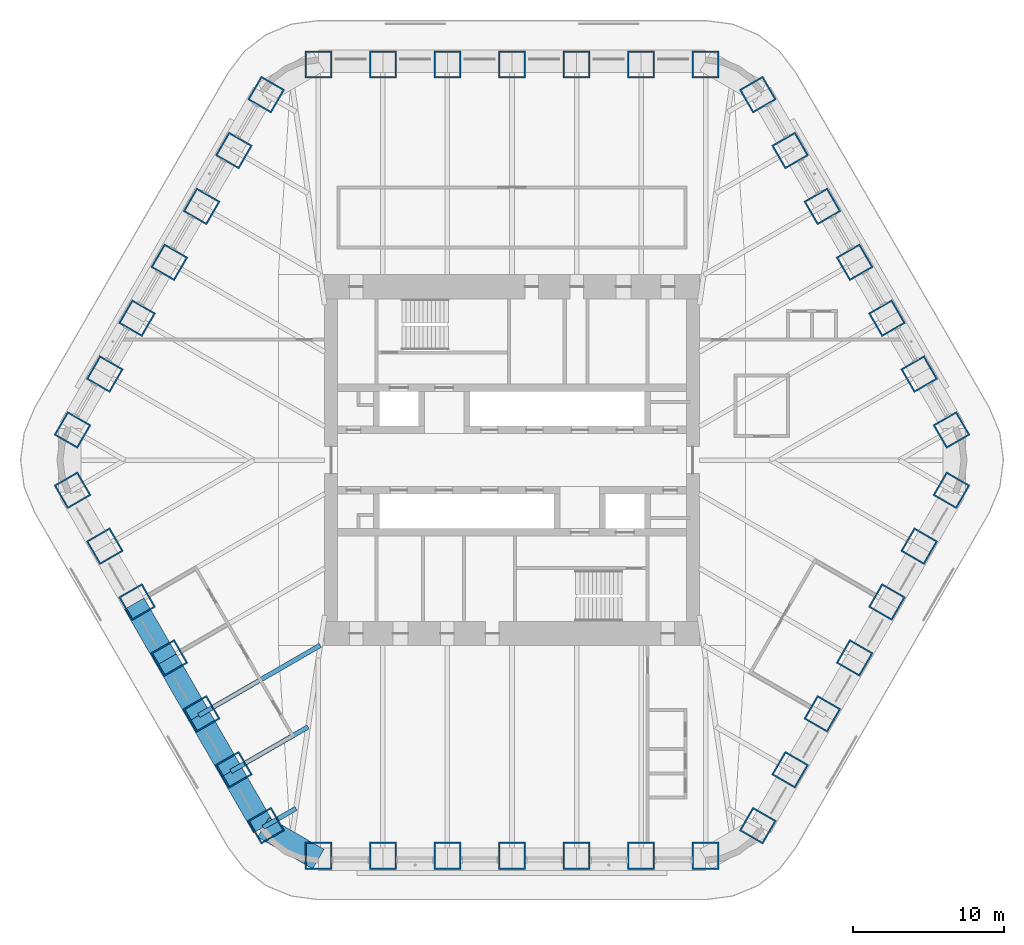
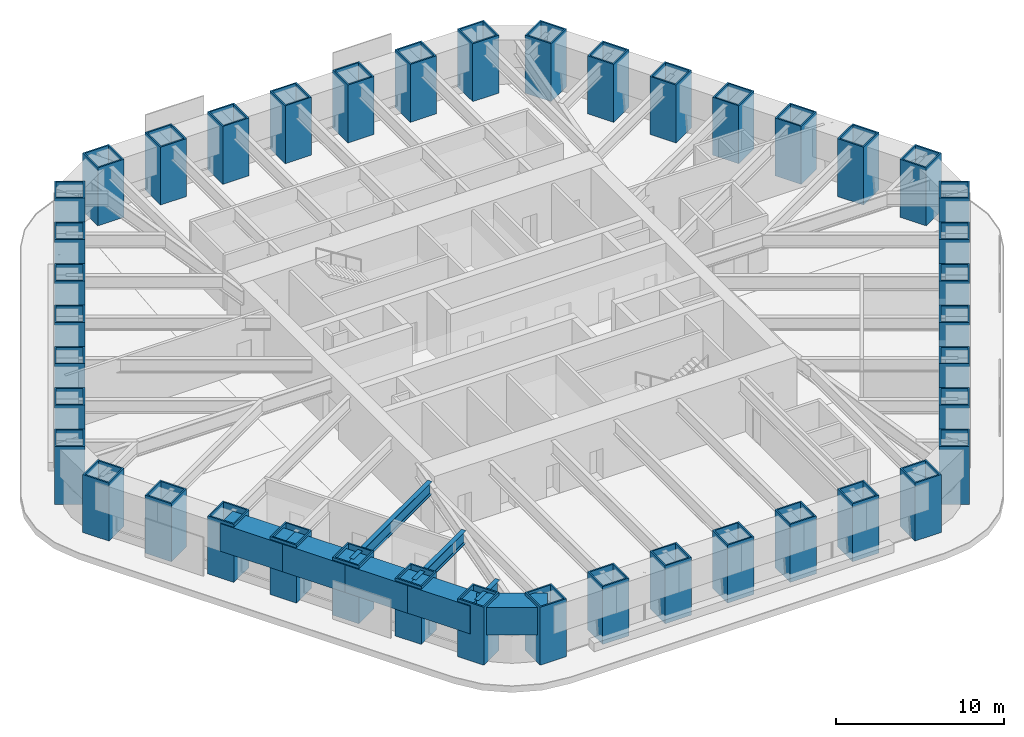
# One storey, part 1 of 18: 42 columns, 8 beams.
"""IFC4 building model written with IfcOpenShell, lengths in metres."""

from ifc_helpers import new_model, si_unit, direction, frame, origin, origin_2d, place, context, subcontext, project, spatial, rectangle, hollow_rectangle, i_section, extrude, material, material_profile, profile_set, type_object, element, save


model = new_model("IFC4")

# Units and contexts
model_context = context("Model", 3, precision=1e-05, world=origin(), true_north=direction((0.0, 1.0)))
body_context = subcontext(model_context, "Body", "Model", "MODEL_VIEW")
ifc_project = project(units=[si_unit("LENGTHUNIT", "METRE"), si_unit("AREAUNIT", "SQUARE_METRE"), si_unit("VOLUMEUNIT", "CUBIC_METRE"), si_unit("PLANEANGLEUNIT", "RADIAN"), si_unit("MASSUNIT", "GRAM", prefix="KILO")], contexts=[model_context])

# Site, building, storey
site_placement = place(None, origin())
site = spatial("IfcSite", under=ifc_project, at=site_placement, CompositionType="ELEMENT")
building_placement = place(site_placement, origin())
building = spatial("IfcBuilding", under=site, at=building_placement, Name="Tarfa Lantern Tower", CompositionType="ELEMENT")
storey_placement = place(building_placement, frame((0.0, 0.0, 311.5)))
storey = spatial("IfcBuildingStorey", under=building, at=storey_placement, Name="L70", CompositionType="ELEMENT", Elevation=311.5)

# Columns
ifc_material_1 = material(Name="Steel S460M", Category="steel")
ifc_material_profile_1 = material_profile(ifc_material_1, hollow_rectangle(XDim=1.800048828125, YDim=1.800048828125, WallThickness=0.10009765625, at=origin_2d()), Name="BOX1800x1800x100")
ifc_profile_set_1 = profile_set([ifc_material_profile_1], Name="Steel S460M")
column_type = type_object("IfcColumnType", Name="TU3 BOX1800x1800x100", PredefinedType="COLUMN", material=ifc_profile_set_1)
for number, where, z_axis, x_axis, name in (
    (1, (29.15625, 2.0, 0.0), (0.0, 0.0, 1.0), (-0.5, 0.866025403784, 0.0), "Tube column NE0"),
    (2, (27.01513671875, 5.708251953125, 0.0), (0.0, 0.0, 1.0), (-0.5, 0.866025403784, 0.0), "Tube column NE1"),
    (3, (24.874267578125, 9.416748046875, 0.0), (0.0, 0.0, 1.0), (-0.5, 0.866025403784, 0.0), "Tube column NE2"),
    (4, (22.733154296875, 13.125, 0.0), (0.0, 0.0, 1.0), (-0.5, 0.866025403784, 0.0), "Tube column NE3"),
    (5, (20.592041015625, 16.833251953125, 0.0), (0.0, 0.0, 1.0), (-0.5, 0.866025403784, 0.0), "Tube column NE4"),
    (6, (18.451171875, 20.541748046875, 0.0), (0.0, 0.0, 1.0), (-0.5, 0.866025403784, 0.0), "Tube column NE5"),
    (7, (16.31005859375, 24.25, 0.0), (0.0, 0.0, 1.0), (-0.5, 0.866025403784, 0.0), "Tube column NE6"),
    (8, (12.845947265625, 26.25, 0.0), (0.0, 0.0, 1.0), (-1.0, 0.0, 0.0), "Tube column N0"),
    (9, (8.56396484375, 26.25, 0.0), (0.0, 0.0, 1.0), (-1.0, 0.0, 0.0), "Tube column N1"),
    (10, (4.281982421875, 26.25, 0.0), (0.0, 0.0, 1.0), (-1.0, 0.0, 0.0), "Tube column N2"),
    (11, (0.0, 26.25, 0.0), (0.0, 0.0, 1.0), (-1.0, 0.0, 0.0), "Tube column N3"),
    (12, (-4.281982421875, 26.25, 0.0), (0.0, 0.0, 1.0), (-1.0, 0.0, 0.0), "Tube column N4"),
    (13, (-8.56396484375, 26.25, 0.0), (0.0, 0.0, 1.0), (-1.0, 0.0, 0.0), "Tube column N5"),
    (14, (-12.845947265625, 26.25, 0.0), (0.0, 0.0, 1.0), (-1.0, 0.0, 0.0), "Tube column N6"),
    (15, (-16.31005859375, 24.25, 0.0), (0.0, 0.0, 1.0), (-0.5, -0.866025403784, 0.0), "Tube column NW0"),
    (16, (-18.451171875, 20.541748046875, 0.0), (0.0, 0.0, 1.0), (-0.5, -0.866025403784, 0.0), "Tube column NW1"),
    (17, (-20.592041015625, 16.833251953125, 0.0), (0.0, 0.0, 1.0), (-0.5, -0.866025403784, 0.0), "Tube column NW2"),
    (18, (-22.733154296875, 13.125, 0.0), (0.0, 0.0, 1.0), (-0.5, -0.866025403784, 0.0), "Tube column NW3"),
    (19, (-24.874267578125, 9.416748046875, 0.0), (0.0, 0.0, 1.0), (-0.5, -0.866025403784, 0.0), "Tube column NW4"),
    (20, (-27.01513671875, 5.708251953125, 0.0), (0.0, 0.0, 1.0), (-0.5, -0.866025403784, 0.0), "Tube column NW5"),
    (21, (-29.15625, 2.0, 0.0), (0.0, 0.0, 1.0), (-0.5, -0.866025403784, 0.0), "Tube column NW6"),
    (22, (-29.15625, -2.0, 0.0), (0.0, 0.0, 1.0), (0.5, -0.866025403784, 0.0), "Tube column SW0"),
    (23, (-27.01513671875, -5.708251953125, 0.0), (0.0, 0.0, 1.0), (0.5, -0.866025403784, 0.0), "Tube column SW1"),
    (24, (-24.874267578125, -9.416748046875, 0.0), (0.0, 0.0, 1.0), (0.5, -0.866025403784, 0.0), "Tube column SW2"),
    (25, (-22.733154296875, -13.125, 0.0), (0.0, 0.0, 1.0), (0.5, -0.866025403784, 0.0), "Tube column SW3"),
    (26, (-20.592041015625, -16.833251953125, 0.0), (0.0, 0.0, 1.0), (0.5, -0.866025403784, 0.0), "Tube column SW4"),
    (27, (-18.451171875, -20.541748046875, 0.0), (0.0, 0.0, 1.0), (0.5, -0.866025403784, 0.0), "Tube column SW5"),
    (28, (-16.31005859375, -24.25, 0.0), (0.0, 0.0, 1.0), (0.5, -0.866025403784, 0.0), "Tube column SW6"),
    (29, (-12.845947265625, -26.25, 0.0), (0.0, 0.0, 1.0), (1.0, 0.0, 0.0), "Tube column S0"),
    (30, (-8.56396484375, -26.25, 0.0), (0.0, 0.0, 1.0), (1.0, 0.0, 0.0), "Tube column S1"),
    (31, (-4.281982421875, -26.25, 0.0), (0.0, 0.0, 1.0), (1.0, 0.0, 0.0), "Tube column S2"),
    (32, (0.0, -26.25, 0.0), (0.0, 0.0, 1.0), (1.0, 0.0, 0.0), "Tube column S3"),
    (33, (4.281982421875, -26.25, 0.0), (0.0, 0.0, 1.0), (1.0, 0.0, 0.0), "Tube column S4"),
    (34, (8.56396484375, -26.25, 0.0), (0.0, 0.0, 1.0), (1.0, 0.0, 0.0), "Tube column S5"),
    (35, (12.845947265625, -26.25, 0.0), (0.0, 0.0, 1.0), (1.0, 0.0, 0.0), "Tube column S6"),
    (36, (16.31005859375, -24.25, 0.0), (0.0, 0.0, 1.0), (0.5, 0.866025403784, 0.0), "Tube column SE0"),
    (37, (18.451171875, -20.541748046875, 0.0), (0.0, 0.0, 1.0), (0.5, 0.866025403784, 0.0), "Tube column SE1"),
    (38, (20.592041015625, -16.833251953125, 0.0), (0.0, 0.0, 1.0), (0.5, 0.866025403784, 0.0), "Tube column SE2"),
    (39, (22.733154296875, -13.125, 0.0), (0.0, 0.0, 1.0), (0.5, 0.866025403784, 0.0), "Tube column SE3"),
    (40, (24.874267578125, -9.416748046875, 0.0), (0.0, 0.0, 1.0), (0.5, 0.866025403784, 0.0), "Tube column SE4"),
    (41, (27.01513671875, -5.708251953125, 0.0), (0.0, 0.0, 1.0), (0.5, 0.866025403784, 0.0), "Tube column SE5"),
    (42, (29.15625, -2.0, 0.0), (0.0, 0.0, 1.0), (0.5, 0.866025403784, 0.0), "Tube column SE6"),
):
    element("IfcColumn", number, at=place(storey_placement, frame(where, z_axis=z_axis, x_axis=x_axis)), inside=storey, type_object=column_type, Name=name, PredefinedType="COLUMN", context=body_context, shape_type="SweptSolid", body=[
        extrude(hollow_rectangle(XDim=1.800048828125, YDim=1.800048828125, WallThickness=0.10009765625, at=origin_2d()), origin(), (0.0, 0.0, 1.0), 4.199951171875),
    ])

# Beams
ifc_material_2 = material(Name="Concrete C80/95", Category="concrete")
ifc_material_profile_2 = material_profile(ifc_material_2, rectangle(XDim=1.5, YDim=2.0, at=origin_2d()), Name="RC 1500x2000")
ifc_profile_set_2 = profile_set([ifc_material_profile_2], Name="Concrete C80/95")
beam_type_1 = type_object("IfcBeamType", Name="RB3 RC 1500x2000", PredefinedType="BEAM", material=ifc_profile_set_2)
beam_1_placement = place(storey_placement, frame((-25.064697265625, -9.526611328125, 3.0), z_axis=(0.500002112793, -0.866024183959, 0.0), x_axis=(0.866024183959, 0.500002112793, 0.0)))
element("IfcBeam", 43, at=beam_1_placement, inside=storey, type_object=beam_type_1, Name="Edge beam SW2", PredefinedType="BEAM", context=body_context, shape_type="SweptSolid", body=[
    extrude(rectangle(XDim=1.5, YDim=2.0, at=origin_2d()), origin(), (0.0, 0.0, 1.0), 4.2822265625),
])
for number, where, z_axis, x_axis, name in (
    (44, (-22.923583984375, -13.235107421875, 3.0), (0.499984039138, -0.866034618596, 0.0), (0.866034618596, 0.499984039138, 0.0), "Edge beam SW3"),
    (45, (-20.78271484375, -16.943359375, 3.0), (0.500026801138, -0.866009929587, 0.0), (0.866009929587, 0.500026801138, 0.0), "Edge beam SW4"),
    (46, (-18.6416015625, -20.651611328125, 3.0), (0.499959351497, -0.866048870937, 0.0), (0.866048870937, 0.499959351497, 0.0), "Edge beam SW5"),
):
    element("IfcBeam", number, at=place(storey_placement, frame(where, z_axis=z_axis, x_axis=x_axis)), inside=storey, type_object=beam_type_1, Name=name, PredefinedType="BEAM", context=body_context, shape_type="SweptSolid", body=[
        extrude(rectangle(XDim=1.5, YDim=2.0, at=origin_2d()), origin(), (0.0, 0.0, 1.0), 4.281982421875),
    ])
beam_2_placement = place(storey_placement, frame((-16.500732421875, -24.360107421875, 3.0), z_axis=(0.866048788483, -0.499959494327, 0.0), x_axis=(0.499959494327, 0.866048788483, 0.0)))
element("IfcBeam", 47, at=beam_2_placement, inside=storey, type_object=beam_type_1, Name="Edge beam SW6", PredefinedType="BEAM", context=body_context, shape_type="SweptSolid", body=[
    extrude(rectangle(XDim=1.5, YDim=2.0, at=origin_2d()), origin(), (0.0, 0.0, 1.0), 4.219970703125),
])
ifc_material_profile_3 = material_profile(ifc_material_1, i_section(OverallWidth=0.305419921875, OverallDepth=0.91845703125, WebThickness=0.017333984375, FlangeThickness=0.02783203125, FilletRadius=0.01904296875, at=origin_2d()), Name="UB914x305x253")
ifc_profile_set_3 = profile_set([ifc_material_profile_3], Name="Steel S460M")
beam_type_2 = type_object("IfcBeamType", Name="UB914x305x253", PredefinedType="BEAM", material=ifc_profile_set_3)
beam_3_placement = place(storey_placement, frame((-20.78271484375, -16.943359375, 3.540771484375), z_axis=(0.866021806508, 0.500006230613, 0.0), x_axis=(-0.500006230613, 0.866021806508, 0.0)))
element("IfcBeam", 48, at=beam_3_placement, inside=storey, type_object=beam_type_2, Name="Floor beam SW4", PredefinedType="BEAM", context=body_context, shape_type="SweptSolid", body=[
    extrude(i_section(OverallWidth=0.305419921875, OverallDepth=0.91845703125, WebThickness=0.017333984375, FlangeThickness=0.02783203125, FilletRadius=0.01904296875, at=origin_2d()), origin(), (0.0, 0.0, 1.0), 9.30908203125),
])
beam_4_placement = place(storey_placement, frame((-18.6416015625, -20.651611328125, 3.540771484375), z_axis=(0.866024549157, 0.500001480256, 0.0), x_axis=(-0.500001480256, 0.866024549157, 0.0)))
element("IfcBeam", 49, at=beam_4_placement, inside=storey, type_object=beam_type_2, Name="Floor beam SW5", PredefinedType="BEAM", context=body_context, shape_type="SweptSolid", body=[
    extrude(i_section(OverallWidth=0.305419921875, OverallDepth=0.91845703125, WebThickness=0.017333984375, FlangeThickness=0.02783203125, FilletRadius=0.01904296875, at=origin_2d()), origin(), (0.0, 0.0, 1.0), 5.90771484375),
])
beam_5_placement = place(storey_placement, frame((-16.500732421875, -24.360107421875, 3.540771484375), z_axis=(0.865992557167, 0.500056887695, 0.0), x_axis=(-0.500056887695, 0.865992557167, 0.0)))
element("IfcBeam", 50, at=beam_5_placement, inside=storey, type_object=beam_type_2, Name="Floor beam SW6", PredefinedType="BEAM", context=body_context, shape_type="SweptSolid", body=[
    extrude(i_section(OverallWidth=0.305419921875, OverallDepth=0.91845703125, WebThickness=0.017333984375, FlangeThickness=0.02783203125, FilletRadius=0.01904296875, at=origin_2d()), origin(), (0.0, 0.0, 1.0), 2.506591796875),
])

save(model, "model.ifc")
